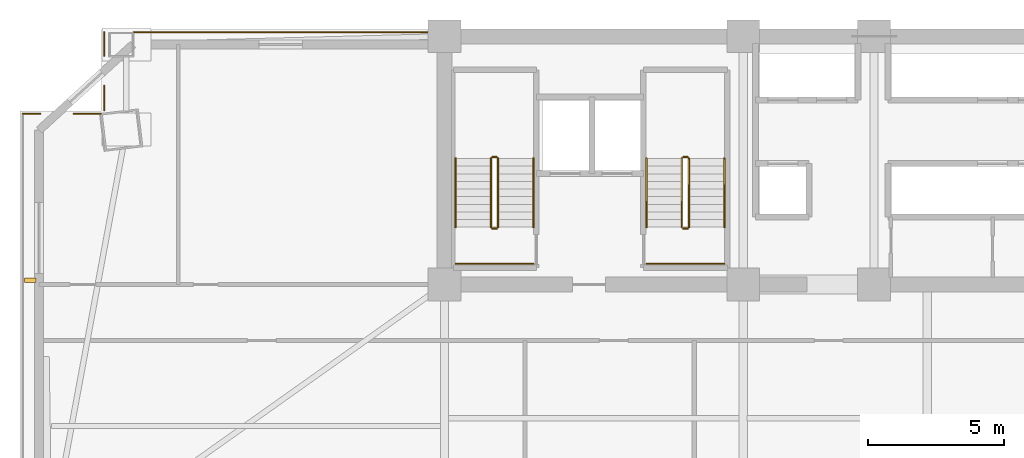
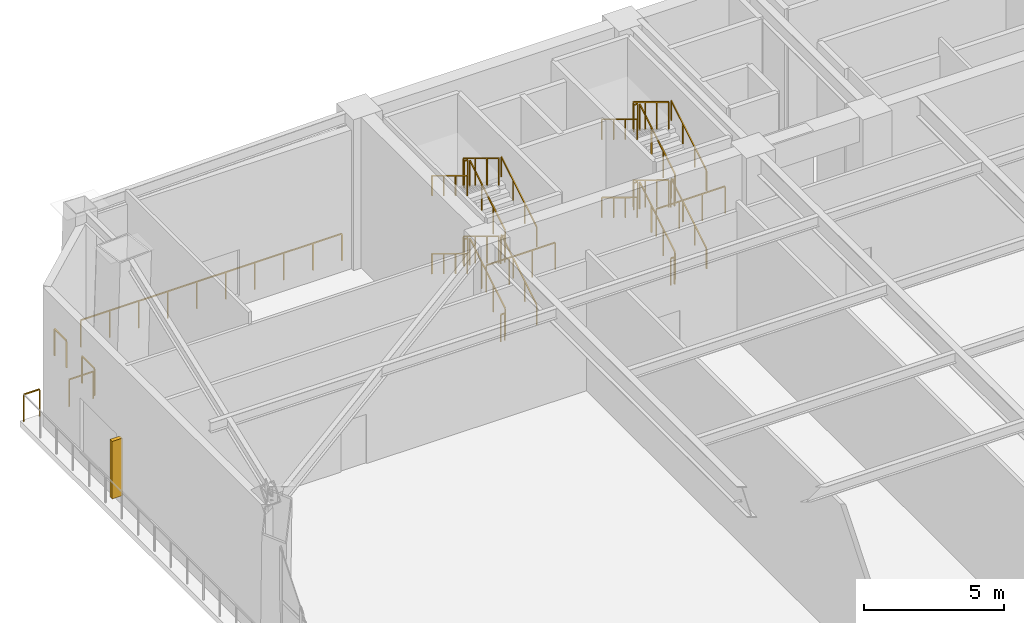
# One storey, part 21 of 22: 31 railings, 1 shading device.
"""IFC4 building model written with IfcOpenShell, lengths in metres."""

from ifc_helpers import new_model, si_unit, direction, frame, origin, origin_2d, place, context, subcontext, project, spatial, rectangle, extrude, source, transform, mapped, material, type_object, element, save


model = new_model("IFC4")

# Units and contexts
model_context = context("Model", 3, precision=1e-05, world=origin(), true_north=direction((0.0, 1.0)))
body_context = subcontext(model_context, "Body", "Model", "MODEL_VIEW")
ifc_project = project(units=[si_unit("LENGTHUNIT", "METRE"), si_unit("AREAUNIT", "SQUARE_METRE"), si_unit("VOLUMEUNIT", "CUBIC_METRE"), si_unit("PLANEANGLEUNIT", "RADIAN"), si_unit("MASSUNIT", "GRAM", prefix="KILO")], contexts=[model_context])

# Site, building, storey
site_placement = place(None, origin())
site = spatial("IfcSite", under=ifc_project, at=site_placement, CompositionType="ELEMENT")
building_placement = place(site_placement, origin())
building = spatial("IfcBuilding", under=site, at=building_placement, Name="Giltprow Tower", CompositionType="ELEMENT")
storey_placement = place(building_placement, frame((0.0, 0.0, 130.89990234375)))
storey = spatial("IfcBuildingStorey", under=building, at=storey_placement, Name="L32", CompositionType="ELEMENT", Elevation=130.89990234375)

# Railings
ifc_material = material(Name="Anodized bronze", Category="metal")
railing_type_1 = type_object("IfcRailingType", Name="RAIL-BALC-GUARD-1200", PredefinedType="BALUSTRADE", material=ifc_material)
railing_1_placement = place(storey_placement, frame((4.37890625, 43.708984375, 0.0)))
element("IfcRailing", 1, at=railing_1_placement, inside=storey, type_object=railing_type_1, Name="L32 Corner Apron Edge Balustrade 6", PredefinedType="BALUSTRADE", context=body_context, shape_type="SweptSolid", body=[
    extrude(rectangle(XDim=0.048095703125, YDim=0.048095703125, at=origin_2d()), frame((0.0, 0.0, 1.17578125), z_axis=(1.0, 0.0, 0.0), x_axis=(0.0, 1.0, 0.0)), (0.0, 0.0, 1.0), 0.649169921875),
    extrude(rectangle(XDim=0.0419921875, YDim=0.0419921875, at=origin_2d()), origin(), (0.0, 0.0, 1.0), 1.15185546875),
    extrude(rectangle(XDim=0.0419921875, YDim=0.0419921875, at=origin_2d()), frame((0.649169921875, 0.0, 0.0)), (0.0, 0.0, 1.0), 1.15185546875),
])
railing_2_placement = place(storey_placement, frame((6.243896484375, 43.708984375, 0.0)))
element("IfcRailing", 2, at=railing_2_placement, inside=storey, type_object=railing_type_1, Name="L32 Corner Apron Edge Balustrade 7", PredefinedType="BALUSTRADE", context=body_context, shape_type="SweptSolid", body=[
    extrude(rectangle(XDim=0.048095703125, YDim=0.048095703125, at=origin_2d()), frame((0.0, 0.0, 1.17578125), z_axis=(1.0, 0.0, 0.0), x_axis=(0.0, 1.0, 0.0)), (0.0, 0.0, 1.0), 0.9912109375),
    extrude(rectangle(XDim=0.0419921875, YDim=0.0419921875, at=origin_2d()), origin(), (0.0, 0.0, 1.0), 1.15185546875),
    extrude(rectangle(XDim=0.0419921875, YDim=0.0419921875, at=origin_2d()), frame((0.9912109375, 0.0, 0.0)), (0.0, 0.0, 1.0), 1.15185546875),
])
railing_3_placement = place(storey_placement, frame((7.3701171875, 43.843994140625, 0.0)))
element("IfcRailing", 3, at=railing_3_placement, inside=storey, type_object=railing_type_1, Name="L32 Corner Apron Edge Balustrade 8", PredefinedType="BALUSTRADE", context=body_context, shape_type="SweptSolid", body=[
    extrude(rectangle(XDim=0.048095703125, YDim=0.048095703125, at=origin_2d()), frame((0.0, 0.0, 1.17578125), z_axis=(0.0, 1.0, 0.0), x_axis=(-1.0, 0.0, 0.0)), (0.0, 0.0, 1.0), 0.89208984375),
    extrude(rectangle(XDim=0.0419921875, YDim=0.0419921875, at=origin_2d()), origin(), (0.0, 0.0, 1.0), 1.15185546875),
    extrude(rectangle(XDim=0.0419921875, YDim=0.0419921875, at=origin_2d()), frame((0.0, 0.89208984375, 0.0)), (0.0, 0.0, 1.0), 1.15185546875),
])
railing_4_placement = place(storey_placement, frame((7.3701171875, 45.846923828125, 0.0)))
element("IfcRailing", 4, at=railing_4_placement, inside=storey, type_object=railing_type_1, Name="L32 Corner Apron Edge Balustrade 9", PredefinedType="BALUSTRADE", context=body_context, shape_type="SweptSolid", body=[
    extrude(rectangle(XDim=0.048095703125, YDim=0.048095703125, at=origin_2d()), frame((0.0, 0.0, 1.17578125), z_axis=(0.0, 1.0, 0.0), x_axis=(-1.0, 0.0, 0.0)), (0.0, 0.0, 1.0), 0.85302734375),
    extrude(rectangle(XDim=0.0419921875, YDim=0.0419921875, at=origin_2d()), origin(), (0.0, 0.0, 1.0), 1.15185546875),
    extrude(rectangle(XDim=0.0419921875, YDim=0.0419921875, at=origin_2d()), frame((0.0, 0.85302734375, 0.0)), (0.0, 0.0, 1.0), 1.15185546875),
])
railing_5_placement = place(storey_placement, frame((8.455078125, 46.699951171875, 0.0)))
element("IfcRailing", 5, at=railing_5_placement, inside=storey, type_object=railing_type_1, Name="L32 Corner Apron Edge Balustrade 10", PredefinedType="BALUSTRADE", context=body_context, shape_type="SweptSolid", body=[
    extrude(rectangle(XDim=0.048095703125, YDim=0.048095703125, at=origin_2d()), frame((0.0, 0.0, 1.17578125), z_axis=(1.0, 0.0, 0.0), x_axis=(0.0, 1.0, 0.0)), (0.0, 0.0, 1.0), 10.760009765625),
    extrude(rectangle(XDim=0.0419921875, YDim=0.0419921875, at=origin_2d()), origin(), (0.0, 0.0, 1.0), 1.15185546875),
    extrude(rectangle(XDim=0.0419921875, YDim=0.0419921875, at=origin_2d()), frame((1.195556640625, 0.0, 0.0)), (0.0, 0.0, 1.0), 1.15185546875),
    extrude(rectangle(XDim=0.0419921875, YDim=0.0419921875, at=origin_2d()), frame((2.39111328125, 0.0, 0.0)), (0.0, 0.0, 1.0), 1.15185546875),
    extrude(rectangle(XDim=0.0419921875, YDim=0.0419921875, at=origin_2d()), frame((3.586669921875, 0.0, 0.0)), (0.0, 0.0, 1.0), 1.15185546875),
    extrude(rectangle(XDim=0.0419921875, YDim=0.0419921875, at=origin_2d()), frame((4.7822265625, 0.0, 0.0)), (0.0, 0.0, 1.0), 1.15185546875),
    extrude(rectangle(XDim=0.0419921875, YDim=0.0419921875, at=origin_2d()), frame((5.977783203125, 0.0, 0.0)), (0.0, 0.0, 1.0), 1.15185546875),
    extrude(rectangle(XDim=0.0419921875, YDim=0.0419921875, at=origin_2d()), frame((7.17333984375, 0.0, 0.0)), (0.0, 0.0, 1.0), 1.15185546875),
    extrude(rectangle(XDim=0.0419921875, YDim=0.0419921875, at=origin_2d()), frame((8.368896484375, 0.0, 0.0)), (0.0, 0.0, 1.0), 1.15185546875),
    extrude(rectangle(XDim=0.0419921875, YDim=0.0419921875, at=origin_2d()), frame((9.564453125, 0.0, 0.0)), (0.0, 0.0, 1.0), 1.15185546875),
    extrude(rectangle(XDim=0.0419921875, YDim=0.0419921875, at=origin_2d()), frame((10.760009765625, 0.0, 0.0)), (0.0, 0.0, 1.0), 1.15185546875),
])
railing_type_2 = type_object("IfcRailingType", Name="RAIL-STAIR-GUARD-1200", PredefinedType="GUARDRAIL", material=ifc_material)
railing_6_placement = place(storey_placement, frame((21.81005859375, 39.550048828125, 0.170166015625)))
element("IfcRailing", 6, at=railing_6_placement, inside=storey, type_object=railing_type_2, Name="L32 ST-1 stair guard 1", PredefinedType="GUARDRAIL", context=body_context, shape_type="SweptSolid", body=[
    extrude(rectangle(XDim=0.048095703125, YDim=0.048095703125, at=origin_2d()), frame((0.0, 0.0, 1.17578125), z_axis=(0.0, 0.85478489116, 0.518982456201), x_axis=(-1.0, 0.0, 0.0)), (0.0, 0.0, 1.0), 2.9482421875),
    extrude(rectangle(XDim=0.0419921875, YDim=0.0419921875, at=origin_2d()), origin(), (0.0, 0.0, 1.0), 1.15185546875),
    extrude(rectangle(XDim=0.0419921875, YDim=0.0419921875, at=origin_2d()), frame((0.0, 0.840087890625, 0.510009765625)), (0.0, 0.0, 1.0), 1.15185546875),
    extrude(rectangle(XDim=0.0419921875, YDim=0.0419921875, at=origin_2d()), frame((0.0, 1.679931640625, 1.02001953125)), (0.0, 0.0, 1.0), 1.15185546875),
    extrude(rectangle(XDim=0.0419921875, YDim=0.0419921875, at=origin_2d()), frame((0.0, 2.52001953125, 1.530029296875)), (0.0, 0.0, 1.0), 1.15185546875),
])
railing_7_placement = place(storey_placement, frame((21.760009765625, 42.1201171875, 1.7001953125)))
element("IfcRailing", 7, at=railing_7_placement, inside=storey, type_object=railing_type_2, Name="L32 ST-1 stair guard 2", PredefinedType="GUARDRAIL", context=body_context, shape_type="SweptSolid", body=[
    extrude(rectangle(XDim=0.048095703125, YDim=0.048095703125, at=origin_2d()), frame((0.0, 0.0, 1.17578125), z_axis=(-1.0, 0.0, 0.0), x_axis=(0.0, -1.0, 0.0)), (0.0, 0.0, 1.0), 0.159912109375),
    extrude(rectangle(XDim=0.0419921875, YDim=0.0419921875, at=origin_2d()), origin(), (0.0, 0.0, 1.0), 1.15185546875),
    extrude(rectangle(XDim=0.0419921875, YDim=0.0419921875, at=origin_2d()), frame((-0.159912109375, 0.0, 0.0)), (0.0, 0.0, 1.0), 1.15185546875),
])
railing_8_placement = place(storey_placement, frame((21.550048828125, 42.070068359375, 1.8701171875)))
element("IfcRailing", 8, at=railing_8_placement, inside=storey, type_object=railing_type_2, Name="L32 ST-1 stair guard 3", PredefinedType="GUARDRAIL", context=body_context, shape_type="SweptSolid", body=[
    extrude(rectangle(XDim=0.048095703125, YDim=0.048095703125, at=origin_2d()), frame((0.0, 0.0, 1.17578125), z_axis=(0.0, -0.85478489116, 0.518982456201), x_axis=(1.0, 0.0, 0.0)), (0.0, 0.0, 1.0), 2.9482421875),
    extrude(rectangle(XDim=0.0419921875, YDim=0.0419921875, at=origin_2d()), origin(), (0.0, 0.0, 1.0), 1.15185546875),
    extrude(rectangle(XDim=0.0419921875, YDim=0.0419921875, at=origin_2d()), frame((0.0, -0.840087890625, 0.510009765625)), (0.0, 0.0, 1.0), 1.15185546875),
    extrude(rectangle(XDim=0.0419921875, YDim=0.0419921875, at=origin_2d()), frame((0.0, -1.679931640625, 1.02001953125)), (0.0, 0.0, 1.0), 1.15185546875),
    extrude(rectangle(XDim=0.0419921875, YDim=0.0419921875, at=origin_2d()), frame((0.0, -2.52001953125, 1.530029296875)), (0.0, 0.0, 1.0), 1.15185546875),
])
railing_9_placement = place(storey_placement, frame((21.760009765625, 39.5, 3.400146484375)))
element("IfcRailing", 9, at=railing_9_placement, inside=storey, type_object=railing_type_2, Name="L32 ST-1 stair guard 4", PredefinedType="GUARDRAIL", context=body_context, shape_type="SweptSolid", body=[
    extrude(rectangle(XDim=0.048095703125, YDim=0.048095703125, at=origin_2d()), frame((0.0, 0.0, 1.17578125), z_axis=(-1.0, 0.0, 0.0), x_axis=(0.0, -1.0, 0.0)), (0.0, 0.0, 1.0), 0.159912109375),
    extrude(rectangle(XDim=0.0419921875, YDim=0.0419921875, at=origin_2d()), origin(), (0.0, 0.0, 1.0), 1.15185546875),
    extrude(rectangle(XDim=0.0419921875, YDim=0.0419921875, at=origin_2d()), frame((-0.159912109375, 0.0, 0.0)), (0.0, 0.0, 1.0), 1.15185546875),
])
railing_10_placement = place(storey_placement, frame((21.81005859375, 39.550048828125, 3.570068359375)))
element("IfcRailing", 10, at=railing_10_placement, inside=storey, type_object=railing_type_2, Name="L32 ST-1 stair guard 5", PredefinedType="GUARDRAIL", context=body_context, shape_type="SweptSolid", body=[
    extrude(rectangle(XDim=0.048095703125, YDim=0.048095703125, at=origin_2d()), frame((0.0, 0.0, 1.17578125), z_axis=(0.0, 0.85478489116, 0.518982456201), x_axis=(-1.0, 0.0, 0.0)), (0.0, 0.0, 1.0), 2.9482421875),
    extrude(rectangle(XDim=0.0419921875, YDim=0.0419921875, at=origin_2d()), origin(), (0.0, 0.0, 1.0), 1.15185546875),
    extrude(rectangle(XDim=0.0419921875, YDim=0.0419921875, at=origin_2d()), frame((0.0, 0.840087890625, 0.510009765625)), (0.0, 0.0, 1.0), 1.15185546875),
    extrude(rectangle(XDim=0.0419921875, YDim=0.0419921875, at=origin_2d()), frame((0.0, 1.679931640625, 1.02001953125)), (0.0, 0.0, 1.0), 1.15185546875),
    extrude(rectangle(XDim=0.0419921875, YDim=0.0419921875, at=origin_2d()), frame((0.0, 2.52001953125, 1.530029296875)), (0.0, 0.0, 1.0), 1.15185546875),
])
railing_11_placement = place(storey_placement, frame((21.760009765625, 42.1201171875, 5.10009765625)))
element("IfcRailing", 11, at=railing_11_placement, inside=storey, type_object=railing_type_2, Name="L32 ST-1 stair guard 6", PredefinedType="GUARDRAIL", context=body_context, shape_type="SweptSolid", body=[
    extrude(rectangle(XDim=0.048095703125, YDim=0.048095703125, at=origin_2d()), frame((0.0, 0.0, 1.17578125), z_axis=(-1.0, 0.0, 0.0), x_axis=(0.0, -1.0, 0.0)), (0.0, 0.0, 1.0), 0.159912109375),
    extrude(rectangle(XDim=0.0419921875, YDim=0.0419921875, at=origin_2d()), origin(), (0.0, 0.0, 1.0), 1.15185546875),
    extrude(rectangle(XDim=0.0419921875, YDim=0.0419921875, at=origin_2d()), frame((-0.159912109375, 0.0, 0.0)), (0.0, 0.0, 1.0), 1.15185546875),
])
railing_12_placement = place(storey_placement, frame((21.550048828125, 42.070068359375, 5.27001953125)))
element("IfcRailing", 12, at=railing_12_placement, inside=storey, type_object=railing_type_2, Name="L32 ST-1 stair guard 7", PredefinedType="GUARDRAIL", context=body_context, shape_type="SweptSolid", body=[
    extrude(rectangle(XDim=0.048095703125, YDim=0.048095703125, at=origin_2d()), frame((0.0, 0.0, 1.17578125), z_axis=(0.0, -0.85478489116, 0.518982456201), x_axis=(1.0, 0.0, 0.0)), (0.0, 0.0, 1.0), 2.9482421875),
    extrude(rectangle(XDim=0.0419921875, YDim=0.0419921875, at=origin_2d()), origin(), (0.0, 0.0, 1.0), 1.15185546875),
    extrude(rectangle(XDim=0.0419921875, YDim=0.0419921875, at=origin_2d()), frame((0.0, -0.840087890625, 0.510009765625)), (0.0, 0.0, 1.0), 1.15185546875),
    extrude(rectangle(XDim=0.0419921875, YDim=0.0419921875, at=origin_2d()), frame((0.0, -1.679931640625, 1.02001953125)), (0.0, 0.0, 1.0), 1.15185546875),
    extrude(rectangle(XDim=0.0419921875, YDim=0.0419921875, at=origin_2d()), frame((0.0, -2.52001953125, 1.530029296875)), (0.0, 0.0, 1.0), 1.15185546875),
])
railing_13_placement = place(storey_placement, frame((21.760009765625, 39.5, 0.0)))
element("IfcRailing", 13, at=railing_13_placement, inside=storey, type_object=railing_type_2, Name="L32 ST-1 stair guard 8", PredefinedType="GUARDRAIL", context=body_context, shape_type="SweptSolid", body=[
    extrude(rectangle(XDim=0.048095703125, YDim=0.048095703125, at=origin_2d()), frame((0.0, 0.0, 1.17578125), z_axis=(-1.0, 0.0, 0.0), x_axis=(0.0, -1.0, 0.0)), (0.0, 0.0, 1.0), 0.159912109375),
    extrude(rectangle(XDim=0.0419921875, YDim=0.0419921875, at=origin_2d()), origin(), (0.0, 0.0, 1.0), 1.15185546875),
    extrude(rectangle(XDim=0.0419921875, YDim=0.0419921875, at=origin_2d()), frame((-0.159912109375, 0.0, 0.0)), (0.0, 0.0, 1.0), 1.15185546875),
])
railing_14_placement = place(storey_placement, frame((20.260009765625, 38.2099609375, 3.400146484375)))
element("IfcRailing", 14, at=railing_14_placement, inside=storey, type_object=railing_type_2, Name="L32 ST-1 Mid-Landing Guard 2", PredefinedType="GUARDRAIL", context=body_context, shape_type="SweptSolid", body=[
    extrude(rectangle(XDim=0.048095703125, YDim=0.048095703125, at=origin_2d()), frame((0.0, 0.0, 1.17578125), z_axis=(1.0, 0.0, 0.0), x_axis=(0.0, 1.0, 0.0)), (0.0, 0.0, 1.0), 2.840087890625),
    extrude(rectangle(XDim=0.0419921875, YDim=0.0419921875, at=origin_2d()), origin(), (0.0, 0.0, 1.0), 1.15185546875),
    extrude(rectangle(XDim=0.0419921875, YDim=0.0419921875, at=origin_2d()), frame((0.94677734375, 0.0, 0.0)), (0.0, 0.0, 1.0), 1.15185546875),
    extrude(rectangle(XDim=0.0419921875, YDim=0.0419921875, at=origin_2d()), frame((1.893310546875, 0.0, 0.0)), (0.0, 0.0, 1.0), 1.15185546875),
    extrude(rectangle(XDim=0.0419921875, YDim=0.0419921875, at=origin_2d()), frame((2.840087890625, 0.0, 0.0)), (0.0, 0.0, 1.0), 1.15185546875),
])
railing_15_placement = place(storey_placement, frame((28.81005859375, 39.550048828125, 0.170166015625)))
element("IfcRailing", 15, at=railing_15_placement, inside=storey, type_object=railing_type_2, Name="L32 ST-2 stair guard 1", PredefinedType="GUARDRAIL", context=body_context, shape_type="SweptSolid", body=[
    extrude(rectangle(XDim=0.048095703125, YDim=0.048095703125, at=origin_2d()), frame((0.0, 0.0, 1.17578125), z_axis=(0.0, 0.85478489116, 0.518982456201), x_axis=(-1.0, 0.0, 0.0)), (0.0, 0.0, 1.0), 2.9482421875),
    extrude(rectangle(XDim=0.0419921875, YDim=0.0419921875, at=origin_2d()), origin(), (0.0, 0.0, 1.0), 1.15185546875),
    extrude(rectangle(XDim=0.0419921875, YDim=0.0419921875, at=origin_2d()), frame((0.0, 0.840087890625, 0.510009765625)), (0.0, 0.0, 1.0), 1.15185546875),
    extrude(rectangle(XDim=0.0419921875, YDim=0.0419921875, at=origin_2d()), frame((0.0, 1.679931640625, 1.02001953125)), (0.0, 0.0, 1.0), 1.15185546875),
    extrude(rectangle(XDim=0.0419921875, YDim=0.0419921875, at=origin_2d()), frame((0.0, 2.52001953125, 1.530029296875)), (0.0, 0.0, 1.0), 1.15185546875),
])
railing_16_placement = place(storey_placement, frame((28.760009765625, 42.1201171875, 1.7001953125)))
element("IfcRailing", 16, at=railing_16_placement, inside=storey, type_object=railing_type_2, Name="L32 ST-2 stair guard 2", PredefinedType="GUARDRAIL", context=body_context, shape_type="SweptSolid", body=[
    extrude(rectangle(XDim=0.048095703125, YDim=0.048095703125, at=origin_2d()), frame((0.0, 0.0, 1.17578125), z_axis=(-1.0, 0.0, 0.0), x_axis=(0.0, -1.0, 0.0)), (0.0, 0.0, 1.0), 0.159912109375),
    extrude(rectangle(XDim=0.0419921875, YDim=0.0419921875, at=origin_2d()), origin(), (0.0, 0.0, 1.0), 1.15185546875),
    extrude(rectangle(XDim=0.0419921875, YDim=0.0419921875, at=origin_2d()), frame((-0.159912109375, 0.0, 0.0)), (0.0, 0.0, 1.0), 1.15185546875),
])
railing_17_placement = place(storey_placement, frame((28.550048828125, 42.070068359375, 1.8701171875)))
element("IfcRailing", 17, at=railing_17_placement, inside=storey, type_object=railing_type_2, Name="L32 ST-2 stair guard 3", PredefinedType="GUARDRAIL", context=body_context, shape_type="SweptSolid", body=[
    extrude(rectangle(XDim=0.048095703125, YDim=0.048095703125, at=origin_2d()), frame((0.0, 0.0, 1.17578125), z_axis=(0.0, -0.85478489116, 0.518982456201), x_axis=(1.0, 0.0, 0.0)), (0.0, 0.0, 1.0), 2.9482421875),
    extrude(rectangle(XDim=0.0419921875, YDim=0.0419921875, at=origin_2d()), origin(), (0.0, 0.0, 1.0), 1.15185546875),
    extrude(rectangle(XDim=0.0419921875, YDim=0.0419921875, at=origin_2d()), frame((0.0, -0.840087890625, 0.510009765625)), (0.0, 0.0, 1.0), 1.15185546875),
    extrude(rectangle(XDim=0.0419921875, YDim=0.0419921875, at=origin_2d()), frame((0.0, -1.679931640625, 1.02001953125)), (0.0, 0.0, 1.0), 1.15185546875),
    extrude(rectangle(XDim=0.0419921875, YDim=0.0419921875, at=origin_2d()), frame((0.0, -2.52001953125, 1.530029296875)), (0.0, 0.0, 1.0), 1.15185546875),
])
railing_18_placement = place(storey_placement, frame((28.760009765625, 39.5, 3.400146484375)))
element("IfcRailing", 18, at=railing_18_placement, inside=storey, type_object=railing_type_2, Name="L32 ST-2 stair guard 4", PredefinedType="GUARDRAIL", context=body_context, shape_type="SweptSolid", body=[
    extrude(rectangle(XDim=0.048095703125, YDim=0.048095703125, at=origin_2d()), frame((0.0, 0.0, 1.17578125), z_axis=(-1.0, 0.0, 0.0), x_axis=(0.0, -1.0, 0.0)), (0.0, 0.0, 1.0), 0.159912109375),
    extrude(rectangle(XDim=0.0419921875, YDim=0.0419921875, at=origin_2d()), origin(), (0.0, 0.0, 1.0), 1.15185546875),
    extrude(rectangle(XDim=0.0419921875, YDim=0.0419921875, at=origin_2d()), frame((-0.159912109375, 0.0, 0.0)), (0.0, 0.0, 1.0), 1.15185546875),
])
railing_19_placement = place(storey_placement, frame((28.81005859375, 39.550048828125, 3.570068359375)))
element("IfcRailing", 19, at=railing_19_placement, inside=storey, type_object=railing_type_2, Name="L32 ST-2 stair guard 5", PredefinedType="GUARDRAIL", context=body_context, shape_type="SweptSolid", body=[
    extrude(rectangle(XDim=0.048095703125, YDim=0.048095703125, at=origin_2d()), frame((0.0, 0.0, 1.17578125), z_axis=(0.0, 0.85478489116, 0.518982456201), x_axis=(-1.0, 0.0, 0.0)), (0.0, 0.0, 1.0), 2.9482421875),
    extrude(rectangle(XDim=0.0419921875, YDim=0.0419921875, at=origin_2d()), origin(), (0.0, 0.0, 1.0), 1.15185546875),
    extrude(rectangle(XDim=0.0419921875, YDim=0.0419921875, at=origin_2d()), frame((0.0, 0.840087890625, 0.510009765625)), (0.0, 0.0, 1.0), 1.15185546875),
    extrude(rectangle(XDim=0.0419921875, YDim=0.0419921875, at=origin_2d()), frame((0.0, 1.679931640625, 1.02001953125)), (0.0, 0.0, 1.0), 1.15185546875),
    extrude(rectangle(XDim=0.0419921875, YDim=0.0419921875, at=origin_2d()), frame((0.0, 2.52001953125, 1.530029296875)), (0.0, 0.0, 1.0), 1.15185546875),
])
railing_20_placement = place(storey_placement, frame((28.760009765625, 42.1201171875, 5.10009765625)))
element("IfcRailing", 20, at=railing_20_placement, inside=storey, type_object=railing_type_2, Name="L32 ST-2 stair guard 6", PredefinedType="GUARDRAIL", context=body_context, shape_type="SweptSolid", body=[
    extrude(rectangle(XDim=0.048095703125, YDim=0.048095703125, at=origin_2d()), frame((0.0, 0.0, 1.17578125), z_axis=(-1.0, 0.0, 0.0), x_axis=(0.0, -1.0, 0.0)), (0.0, 0.0, 1.0), 0.159912109375),
    extrude(rectangle(XDim=0.0419921875, YDim=0.0419921875, at=origin_2d()), origin(), (0.0, 0.0, 1.0), 1.15185546875),
    extrude(rectangle(XDim=0.0419921875, YDim=0.0419921875, at=origin_2d()), frame((-0.159912109375, 0.0, 0.0)), (0.0, 0.0, 1.0), 1.15185546875),
])
railing_21_placement = place(storey_placement, frame((28.550048828125, 42.070068359375, 5.27001953125)))
element("IfcRailing", 21, at=railing_21_placement, inside=storey, type_object=railing_type_2, Name="L32 ST-2 stair guard 7", PredefinedType="GUARDRAIL", context=body_context, shape_type="SweptSolid", body=[
    extrude(rectangle(XDim=0.048095703125, YDim=0.048095703125, at=origin_2d()), frame((0.0, 0.0, 1.17578125), z_axis=(0.0, -0.85478489116, 0.518982456201), x_axis=(1.0, 0.0, 0.0)), (0.0, 0.0, 1.0), 2.9482421875),
    extrude(rectangle(XDim=0.0419921875, YDim=0.0419921875, at=origin_2d()), origin(), (0.0, 0.0, 1.0), 1.15185546875),
    extrude(rectangle(XDim=0.0419921875, YDim=0.0419921875, at=origin_2d()), frame((0.0, -0.840087890625, 0.510009765625)), (0.0, 0.0, 1.0), 1.15185546875),
    extrude(rectangle(XDim=0.0419921875, YDim=0.0419921875, at=origin_2d()), frame((0.0, -1.679931640625, 1.02001953125)), (0.0, 0.0, 1.0), 1.15185546875),
    extrude(rectangle(XDim=0.0419921875, YDim=0.0419921875, at=origin_2d()), frame((0.0, -2.52001953125, 1.530029296875)), (0.0, 0.0, 1.0), 1.15185546875),
])
railing_22_placement = place(storey_placement, frame((28.760009765625, 39.5, 0.0)))
element("IfcRailing", 22, at=railing_22_placement, inside=storey, type_object=railing_type_2, Name="L32 ST-2 stair guard 8", PredefinedType="GUARDRAIL", context=body_context, shape_type="SweptSolid", body=[
    extrude(rectangle(XDim=0.048095703125, YDim=0.048095703125, at=origin_2d()), frame((0.0, 0.0, 1.17578125), z_axis=(-1.0, 0.0, 0.0), x_axis=(0.0, -1.0, 0.0)), (0.0, 0.0, 1.0), 0.159912109375),
    extrude(rectangle(XDim=0.0419921875, YDim=0.0419921875, at=origin_2d()), origin(), (0.0, 0.0, 1.0), 1.15185546875),
    extrude(rectangle(XDim=0.0419921875, YDim=0.0419921875, at=origin_2d()), frame((-0.159912109375, 0.0, 0.0)), (0.0, 0.0, 1.0), 1.15185546875),
])
railing_23_placement = place(storey_placement, frame((27.260009765625, 38.2099609375, 3.400146484375)))
element("IfcRailing", 23, at=railing_23_placement, inside=storey, type_object=railing_type_2, Name="L32 ST-2 Mid-Landing Guard 2", PredefinedType="GUARDRAIL", context=body_context, shape_type="SweptSolid", body=[
    extrude(rectangle(XDim=0.048095703125, YDim=0.048095703125, at=origin_2d()), frame((0.0, 0.0, 1.17578125), z_axis=(1.0, 0.0, 0.0), x_axis=(0.0, 1.0, 0.0)), (0.0, 0.0, 1.0), 2.840087890625),
    extrude(rectangle(XDim=0.0419921875, YDim=0.0419921875, at=origin_2d()), origin(), (0.0, 0.0, 1.0), 1.15185546875),
    extrude(rectangle(XDim=0.0419921875, YDim=0.0419921875, at=origin_2d()), frame((0.94677734375, 0.0, 0.0)), (0.0, 0.0, 1.0), 1.15185546875),
    extrude(rectangle(XDim=0.0419921875, YDim=0.0419921875, at=origin_2d()), frame((1.893310546875, 0.0, 0.0)), (0.0, 0.0, 1.0), 1.15185546875),
    extrude(rectangle(XDim=0.0419921875, YDim=0.0419921875, at=origin_2d()), frame((2.840087890625, 0.0, 0.0)), (0.0, 0.0, 1.0), 1.15185546875),
])
railing_type_3 = type_object("IfcRailingType", Name="RAIL-STAIR-HAND-900", PredefinedType="HANDRAIL", material=ifc_material)
railing_24_placement = place(storey_placement, frame((23.110107421875, 39.550048828125, 0.170166015625)))
element("IfcRailing", 24, at=railing_24_placement, inside=storey, type_object=railing_type_3, Name="L32 ST-1 stair handrail 1", PredefinedType="HANDRAIL", context=body_context, shape_type="SweptSolid", body=[
    extrude(rectangle(XDim=0.048095703125, YDim=0.048095703125, at=origin_2d()), frame((0.0, 0.0, 0.8759765625), z_axis=(0.0, 0.85478489116, 0.518982456201), x_axis=(-1.0, 0.0, 0.0)), (0.0, 0.0, 1.0), 2.9482421875),
    extrude(rectangle(XDim=0.0419921875, YDim=0.0419921875, at=origin_2d()), origin(), (0.0, 0.0, 1.0), 0.851806640625),
    extrude(rectangle(XDim=0.0419921875, YDim=0.0419921875, at=origin_2d()), frame((0.0, 0.840087890625, 0.510009765625)), (0.0, 0.0, 1.0), 0.851806640625),
    extrude(rectangle(XDim=0.0419921875, YDim=0.0419921875, at=origin_2d()), frame((0.0, 1.679931640625, 1.02001953125)), (0.0, 0.0, 1.0), 0.851806640625),
    extrude(rectangle(XDim=0.0419921875, YDim=0.0419921875, at=origin_2d()), frame((0.0, 2.52001953125, 1.530029296875)), (0.0, 0.0, 1.0), 0.851806640625),
])
railing_25_placement = place(storey_placement, frame((20.25, 42.070068359375, 1.8701171875)))
element("IfcRailing", 25, at=railing_25_placement, inside=storey, type_object=railing_type_3, Name="L32 ST-1 stair handrail 2", PredefinedType="HANDRAIL", context=body_context, shape_type="SweptSolid", body=[
    extrude(rectangle(XDim=0.048095703125, YDim=0.048095703125, at=origin_2d()), frame((0.0, 0.0, 0.8759765625), z_axis=(0.0, -0.85478489116, 0.518982456201), x_axis=(1.0, 0.0, 0.0)), (0.0, 0.0, 1.0), 2.9482421875),
    extrude(rectangle(XDim=0.0419921875, YDim=0.0419921875, at=origin_2d()), origin(), (0.0, 0.0, 1.0), 0.851806640625),
    extrude(rectangle(XDim=0.0419921875, YDim=0.0419921875, at=origin_2d()), frame((0.0, -0.840087890625, 0.510009765625)), (0.0, 0.0, 1.0), 0.851806640625),
    extrude(rectangle(XDim=0.0419921875, YDim=0.0419921875, at=origin_2d()), frame((0.0, -1.679931640625, 1.02001953125)), (0.0, 0.0, 1.0), 0.851806640625),
    extrude(rectangle(XDim=0.0419921875, YDim=0.0419921875, at=origin_2d()), frame((0.0, -2.52001953125, 1.530029296875)), (0.0, 0.0, 1.0), 0.851806640625),
])
railing_26_placement = place(storey_placement, frame((23.110107421875, 39.550048828125, 3.570068359375)))
element("IfcRailing", 26, at=railing_26_placement, inside=storey, type_object=railing_type_3, Name="L32 ST-1 stair handrail 3", PredefinedType="HANDRAIL", context=body_context, shape_type="SweptSolid", body=[
    extrude(rectangle(XDim=0.048095703125, YDim=0.048095703125, at=origin_2d()), frame((0.0, 0.0, 0.8759765625), z_axis=(0.0, 0.85478489116, 0.518982456201), x_axis=(-1.0, 0.0, 0.0)), (0.0, 0.0, 1.0), 2.9482421875),
    extrude(rectangle(XDim=0.0419921875, YDim=0.0419921875, at=origin_2d()), origin(), (0.0, 0.0, 1.0), 0.851806640625),
    extrude(rectangle(XDim=0.0419921875, YDim=0.0419921875, at=origin_2d()), frame((0.0, 0.840087890625, 0.510009765625)), (0.0, 0.0, 1.0), 0.851806640625),
    extrude(rectangle(XDim=0.0419921875, YDim=0.0419921875, at=origin_2d()), frame((0.0, 1.679931640625, 1.02001953125)), (0.0, 0.0, 1.0), 0.851806640625),
    extrude(rectangle(XDim=0.0419921875, YDim=0.0419921875, at=origin_2d()), frame((0.0, 2.52001953125, 1.530029296875)), (0.0, 0.0, 1.0), 0.851806640625),
])
railing_27_placement = place(storey_placement, frame((20.25, 42.070068359375, 5.27001953125)))
element("IfcRailing", 27, at=railing_27_placement, inside=storey, type_object=railing_type_3, Name="L32 ST-1 stair handrail 4", PredefinedType="HANDRAIL", context=body_context, shape_type="SweptSolid", body=[
    extrude(rectangle(XDim=0.048095703125, YDim=0.048095703125, at=origin_2d()), frame((0.0, 0.0, 0.8759765625), z_axis=(0.0, -0.85478489116, 0.518982456201), x_axis=(1.0, 0.0, 0.0)), (0.0, 0.0, 1.0), 2.9482421875),
    extrude(rectangle(XDim=0.0419921875, YDim=0.0419921875, at=origin_2d()), origin(), (0.0, 0.0, 1.0), 0.851806640625),
    extrude(rectangle(XDim=0.0419921875, YDim=0.0419921875, at=origin_2d()), frame((0.0, -0.840087890625, 0.510009765625)), (0.0, 0.0, 1.0), 0.851806640625),
    extrude(rectangle(XDim=0.0419921875, YDim=0.0419921875, at=origin_2d()), frame((0.0, -1.679931640625, 1.02001953125)), (0.0, 0.0, 1.0), 0.851806640625),
    extrude(rectangle(XDim=0.0419921875, YDim=0.0419921875, at=origin_2d()), frame((0.0, -2.52001953125, 1.530029296875)), (0.0, 0.0, 1.0), 0.851806640625),
])
railing_28_placement = place(storey_placement, frame((30.110107421875, 39.550048828125, 0.170166015625)))
element("IfcRailing", 28, at=railing_28_placement, inside=storey, type_object=railing_type_3, Name="L32 ST-2 stair handrail 1", PredefinedType="HANDRAIL", context=body_context, shape_type="SweptSolid", body=[
    extrude(rectangle(XDim=0.048095703125, YDim=0.048095703125, at=origin_2d()), frame((0.0, 0.0, 0.8759765625), z_axis=(0.0, 0.85478489116, 0.518982456201), x_axis=(-1.0, 0.0, 0.0)), (0.0, 0.0, 1.0), 2.9482421875),
    extrude(rectangle(XDim=0.0419921875, YDim=0.0419921875, at=origin_2d()), origin(), (0.0, 0.0, 1.0), 0.851806640625),
    extrude(rectangle(XDim=0.0419921875, YDim=0.0419921875, at=origin_2d()), frame((0.0, 0.840087890625, 0.510009765625)), (0.0, 0.0, 1.0), 0.851806640625),
    extrude(rectangle(XDim=0.0419921875, YDim=0.0419921875, at=origin_2d()), frame((0.0, 1.679931640625, 1.02001953125)), (0.0, 0.0, 1.0), 0.851806640625),
    extrude(rectangle(XDim=0.0419921875, YDim=0.0419921875, at=origin_2d()), frame((0.0, 2.52001953125, 1.530029296875)), (0.0, 0.0, 1.0), 0.851806640625),
])
railing_29_placement = place(storey_placement, frame((27.25, 42.070068359375, 1.8701171875)))
element("IfcRailing", 29, at=railing_29_placement, inside=storey, type_object=railing_type_3, Name="L32 ST-2 stair handrail 2", PredefinedType="HANDRAIL", context=body_context, shape_type="SweptSolid", body=[
    extrude(rectangle(XDim=0.048095703125, YDim=0.048095703125, at=origin_2d()), frame((0.0, 0.0, 0.8759765625), z_axis=(0.0, -0.85478489116, 0.518982456201), x_axis=(1.0, 0.0, 0.0)), (0.0, 0.0, 1.0), 2.9482421875),
    extrude(rectangle(XDim=0.0419921875, YDim=0.0419921875, at=origin_2d()), origin(), (0.0, 0.0, 1.0), 0.851806640625),
    extrude(rectangle(XDim=0.0419921875, YDim=0.0419921875, at=origin_2d()), frame((0.0, -0.840087890625, 0.510009765625)), (0.0, 0.0, 1.0), 0.851806640625),
    extrude(rectangle(XDim=0.0419921875, YDim=0.0419921875, at=origin_2d()), frame((0.0, -1.679931640625, 1.02001953125)), (0.0, 0.0, 1.0), 0.851806640625),
    extrude(rectangle(XDim=0.0419921875, YDim=0.0419921875, at=origin_2d()), frame((0.0, -2.52001953125, 1.530029296875)), (0.0, 0.0, 1.0), 0.851806640625),
])
railing_30_placement = place(storey_placement, frame((30.110107421875, 39.550048828125, 3.570068359375)))
element("IfcRailing", 30, at=railing_30_placement, inside=storey, type_object=railing_type_3, Name="L32 ST-2 stair handrail 3", PredefinedType="HANDRAIL", context=body_context, shape_type="SweptSolid", body=[
    extrude(rectangle(XDim=0.048095703125, YDim=0.048095703125, at=origin_2d()), frame((0.0, 0.0, 0.8759765625), z_axis=(0.0, 0.85478489116, 0.518982456201), x_axis=(-1.0, 0.0, 0.0)), (0.0, 0.0, 1.0), 2.9482421875),
    extrude(rectangle(XDim=0.0419921875, YDim=0.0419921875, at=origin_2d()), origin(), (0.0, 0.0, 1.0), 0.851806640625),
    extrude(rectangle(XDim=0.0419921875, YDim=0.0419921875, at=origin_2d()), frame((0.0, 0.840087890625, 0.510009765625)), (0.0, 0.0, 1.0), 0.851806640625),
    extrude(rectangle(XDim=0.0419921875, YDim=0.0419921875, at=origin_2d()), frame((0.0, 1.679931640625, 1.02001953125)), (0.0, 0.0, 1.0), 0.851806640625),
    extrude(rectangle(XDim=0.0419921875, YDim=0.0419921875, at=origin_2d()), frame((0.0, 2.52001953125, 1.530029296875)), (0.0, 0.0, 1.0), 0.851806640625),
])
railing_31_placement = place(storey_placement, frame((27.25, 42.070068359375, 5.27001953125)))
element("IfcRailing", 31, at=railing_31_placement, inside=storey, type_object=railing_type_3, Name="L32 ST-2 stair handrail 4", PredefinedType="HANDRAIL", context=body_context, shape_type="SweptSolid", body=[
    extrude(rectangle(XDim=0.048095703125, YDim=0.048095703125, at=origin_2d()), frame((0.0, 0.0, 0.8759765625), z_axis=(0.0, -0.85478489116, 0.518982456201), x_axis=(1.0, 0.0, 0.0)), (0.0, 0.0, 1.0), 2.9482421875),
    extrude(rectangle(XDim=0.0419921875, YDim=0.0419921875, at=origin_2d()), origin(), (0.0, 0.0, 1.0), 0.851806640625),
    extrude(rectangle(XDim=0.0419921875, YDim=0.0419921875, at=origin_2d()), frame((0.0, -0.840087890625, 0.510009765625)), (0.0, 0.0, 1.0), 0.851806640625),
    extrude(rectangle(XDim=0.0419921875, YDim=0.0419921875, at=origin_2d()), frame((0.0, -1.679931640625, 1.02001953125)), (0.0, 0.0, 1.0), 0.851806640625),
    extrude(rectangle(XDim=0.0419921875, YDim=0.0419921875, at=origin_2d()), frame((0.0, -2.52001953125, 1.530029296875)), (0.0, 0.0, 1.0), 0.851806640625),
])

# Shading device
shading_device_type = type_object("IfcShadingDeviceType", Name="SHD-FIN-420", PredefinedType="USERDEFINED", material=ifc_material)
shared_shape = source(origin(), body_context, "Body", "SweptSolid", [
    extrude(rectangle(XDim=0.419921875, YDim=0.159912109375, at=origin_2d()), origin(), (0.0, 0.0, 1.0), 2.5),
])
shading_device_placement = place(storey_placement, frame((4.658935546875, 37.60498046875, 0.35009765625), z_axis=(0.0, 0.0, 1.0), x_axis=(1.0, 0.0, 0.0)))
element("IfcShadingDevice", 32, at=shading_device_placement, inside=storey, type_object=shading_device_type, Name="L32 W Bronze Vertical Fin 2-1", ObjectType="FIN", PredefinedType="USERDEFINED", context=body_context, shape_type="MappedRepresentation", body=[
    mapped(shared_shape, transform((0.0, 0.0, 0.0), x_axis=(1.0, 0.0, 0.0), y_axis=(0.0, 1.0, 0.0), z_axis=(0.0, 0.0, 1.0), scale=1.0)),
])

save(model, "model.ifc")
